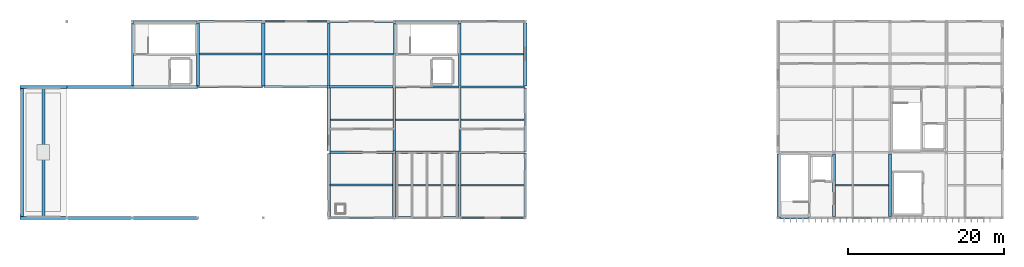
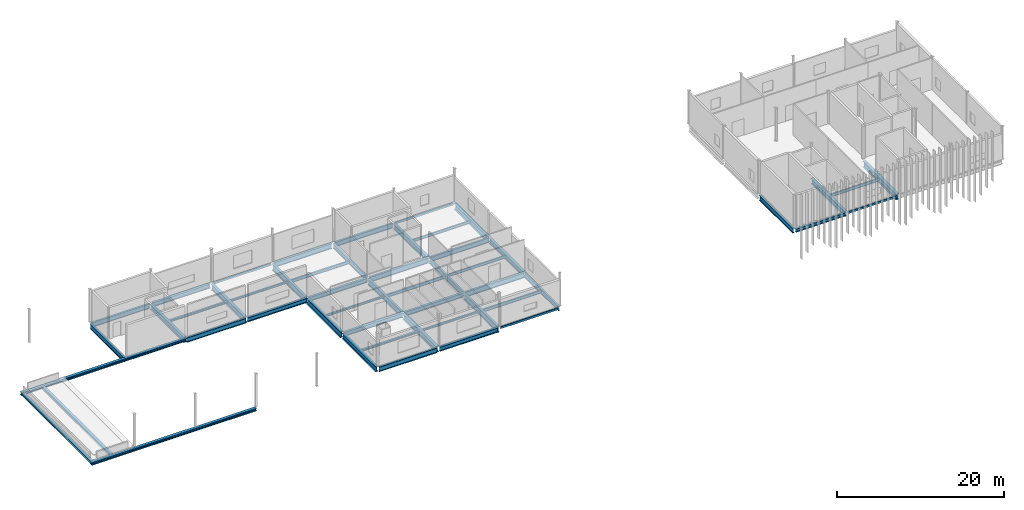
# One storey, part 7 of 27: 54 beams.
"""IFC4 building model written with IfcOpenShell, lengths in metres."""

from ifc_helpers import new_model, si_unit, direction, frame, origin, origin_2d, place, context, subcontext, project, spatial, hollow_rectangle, i_section, extrude, material, material_profile, profile_set, type_object, element, save


model = new_model("IFC4")

# Units and contexts
model_context = context("Model", 3, precision=1e-05, world=origin(), true_north=direction((0.0, 1.0)))
body_context = subcontext(model_context, "Body", "Model", "MODEL_VIEW")
ifc_project = project(units=[si_unit("LENGTHUNIT", "METRE"), si_unit("AREAUNIT", "SQUARE_METRE"), si_unit("VOLUMEUNIT", "CUBIC_METRE"), si_unit("PLANEANGLEUNIT", "RADIAN"), si_unit("MASSUNIT", "GRAM", prefix="KILO")], contexts=[model_context])

# Site, building, storey
site_placement = place(None, origin())
site = spatial("IfcSite", under=ifc_project, at=site_placement, CompositionType="ELEMENT")
building_placement = place(site_placement, origin())
building = spatial("IfcBuilding", under=site, at=building_placement, Name="Calvrana Isthmian Art Gallery", CompositionType="ELEMENT")
storey_placement = place(building_placement, frame((0.0, 0.0, 24.60009765625)))
storey = spatial("IfcBuildingStorey", under=building, at=storey_placement, Name="L05", CompositionType="ELEMENT", Elevation=24.60009765625)

# Beams
ifc_material_1 = material(Name="Steel ASTM A992 Gr 50", Category="steel")
ifc_material_profile_1 = material_profile(ifc_material_1, i_section(OverallWidth=0.39892578125, OverallDepth=0.39404296875, WebThickness=0.022705078125, FlangeThickness=0.03662109375, FilletRadius=0.02490234375, at=origin_2d()), Name="W14X193")
ifc_profile_set_1 = profile_set([ifc_material_profile_1], Name="Steel ASTM A992 Gr 50")
beam_type_1 = type_object("IfcBeamType", Name="BM-CANT-CHORD", PredefinedType="BEAM", material=ifc_profile_set_1)
beam_1_placement = place(storey_placement, frame((15.60009765625, 21.60009765625, -0.427001953125), z_axis=(1.0, 0.0, 0.0), x_axis=(0.0, 1.0, 0.0)))
element("IfcBeam", 1, at=beam_1_placement, inside=storey, type_object=beam_type_1, Name="Lookout cantilever top chord 1", PredefinedType="BEAM", context=body_context, shape_type="SweptSolid", body=[
    extrude(i_section(OverallWidth=0.39892578125, OverallDepth=0.39404296875, WebThickness=0.022705078125, FlangeThickness=0.03662109375, FilletRadius=0.02490234375, at=origin_2d()), origin(), (0.0, 0.0, 1.0), 6.0),
])
beam_2_placement = place(storey_placement, frame((21.60009765625, 21.60009765625, -0.427001953125), z_axis=(1.0, 0.0, 0.0), x_axis=(0.0, 1.0, 0.0)))
element("IfcBeam", 2, at=beam_2_placement, inside=storey, type_object=beam_type_1, Name="Lookout back-span top chord 1", PredefinedType="BEAM", context=body_context, shape_type="SweptSolid", body=[
    extrude(i_section(OverallWidth=0.39892578125, OverallDepth=0.39404296875, WebThickness=0.022705078125, FlangeThickness=0.03662109375, FilletRadius=0.02490234375, at=origin_2d()), origin(), (0.0, 0.0, 1.0), 16.7998046875),
])
beam_3_placement = place(storey_placement, frame((15.60009765625, 38.39990234375, -0.427001953125), z_axis=(1.0, 0.0, 0.0), x_axis=(0.0, 1.0, 0.0)))
element("IfcBeam", 3, at=beam_3_placement, inside=storey, type_object=beam_type_1, Name="Lookout cantilever top chord 2", PredefinedType="BEAM", context=body_context, shape_type="SweptSolid", body=[
    extrude(i_section(OverallWidth=0.39892578125, OverallDepth=0.39404296875, WebThickness=0.022705078125, FlangeThickness=0.03662109375, FilletRadius=0.02490234375, at=origin_2d()), origin(), (0.0, 0.0, 1.0), 6.0),
])
for number, where, z_axis, x_axis, name in (
    (4, (21.60009765625, 38.39990234375, -0.427001953125), (1.0, 0.0, 0.0), (0.0, 1.0, 0.0), "Lookout back-span top chord 2"),
    (5, (15.85009765625, 21.60009765625, -0.427001953125), (0.0, 1.0, 0.0), (-1.0, 0.0, 0.0), "Lookout transverse girder L05-1"),
    (6, (18.60009765625, 21.60009765625, -0.427001953125), (0.0, 1.0, 0.0), (-1.0, 0.0, 0.0), "Lookout transverse girder L05-2"),
):
    element("IfcBeam", number, at=place(storey_placement, frame(where, z_axis=z_axis, x_axis=x_axis)), inside=storey, type_object=beam_type_1, Name=name, PredefinedType="BEAM", context=body_context, shape_type="SweptSolid", body=[
        extrude(i_section(OverallWidth=0.39892578125, OverallDepth=0.39404296875, WebThickness=0.022705078125, FlangeThickness=0.03662109375, FilletRadius=0.02490234375, at=origin_2d()), origin(), (0.0, 0.0, 1.0), 16.7998046875),
    ])
ifc_material_profile_2 = material_profile(ifc_material_1, i_section(OverallWidth=0.279052734375, OverallDepth=0.4619140625, WebThickness=0.0107421875, FlangeThickness=0.017333984375, FilletRadius=0.02001953125, at=origin_2d()), Name="W18X76")
ifc_profile_set_2 = profile_set([ifc_material_profile_2], Name="Steel ASTM A992 Gr 50")
beam_type_2 = type_object("IfcBeamType", Name="BM-G-W18X76", PredefinedType="BEAM", material=ifc_profile_set_2)
beam_4_placement = place(storey_placement, frame((112.986572265625, 21.60009765625, -0.4560546875), z_axis=(1.0, 0.0, 0.0), x_axis=(0.0, 1.0, 0.0)))
element("IfcBeam", 7, at=beam_4_placement, inside=storey, type_object=beam_type_2, Name="Girder X L05 15-16/D", PredefinedType="BEAM", context=body_context, shape_type="SweptSolid", body=[
    extrude(i_section(OverallWidth=0.279052734375, OverallDepth=0.4619140625, WebThickness=0.0107421875, FlangeThickness=0.017333984375, FilletRadius=0.02001953125, at=origin_2d()), origin(), (0.0, 0.0, 1.0), 6.827880859375),
])
ifc_material_profile_3 = material_profile(ifc_material_1, i_section(OverallWidth=0.324951171875, OverallDepth=0.612060546875, WebThickness=0.0126953125, FlangeThickness=0.01904296875, FilletRadius=0.02197265625, at=origin_2d()), Name="W24X104")
ifc_profile_set_3 = profile_set([ifc_material_profile_3], Name="Steel ASTM A992 Gr 50")
beam_type_3 = type_object("IfcBeamType", Name="BM-G-W24X104", PredefinedType="BEAM", material=ifc_profile_set_3)
beam_5_placement = place(storey_placement, frame((63.70166015625, 30.0, -0.531005859375), z_axis=(1.0, 0.0, 0.0), x_axis=(0.0, 1.0, 0.0)))
element("IfcBeam", 8, at=beam_5_placement, inside=storey, type_object=beam_type_3, Name="Girder X L05 09-10/E", PredefinedType="BEAM", context=body_context, shape_type="SweptSolid", body=[
    extrude(i_section(OverallWidth=0.324951171875, OverallDepth=0.612060546875, WebThickness=0.0126953125, FlangeThickness=0.01904296875, FilletRadius=0.02197265625, at=origin_2d()), origin(), (0.0, 0.0, 1.0), 8.17138671875),
])
beam_6_placement = place(storey_placement, frame((55.301513671875, 38.39990234375, -0.531005859375), z_axis=(1.0, 0.0, 0.0), x_axis=(0.0, 1.0, 0.0)))
element("IfcBeam", 9, at=beam_6_placement, inside=storey, type_object=beam_type_3, Name="Girder X L05 08-09/F", PredefinedType="BEAM", context=body_context, shape_type="SweptSolid", body=[
    extrude(i_section(OverallWidth=0.324951171875, OverallDepth=0.612060546875, WebThickness=0.0126953125, FlangeThickness=0.01904296875, FilletRadius=0.02197265625, at=origin_2d()), origin(), (0.0, 0.0, 1.0), 8.14599609375),
])
ifc_material_profile_4 = material_profile(ifc_material_1, i_section(OverallWidth=0.327880859375, OverallDepth=0.6220703125, WebThickness=0.015380859375, FlangeThickness=0.0244140625, FilletRadius=0.02197265625, at=origin_2d()), Name="W24X131")
ifc_profile_set_4 = profile_set([ifc_material_profile_4], Name="Steel ASTM A992 Gr 50")
beam_type_4 = type_object("IfcBeamType", Name="BM-G-W24X131", PredefinedType="BEAM", material=ifc_profile_set_4)
beam_7_placement = place(storey_placement, frame((63.783935546875, 21.60009765625, -0.5361328125), z_axis=(1.0, 0.0, 0.0), x_axis=(0.0, 1.0, 0.0)))
element("IfcBeam", 10, at=beam_7_placement, inside=storey, type_object=beam_type_4, Name="Girder X L05 09-10/D", PredefinedType="BEAM", context=body_context, shape_type="SweptSolid", body=[
    extrude(i_section(OverallWidth=0.327880859375, OverallDepth=0.6220703125, WebThickness=0.015380859375, FlangeThickness=0.0244140625, FilletRadius=0.02197265625, at=origin_2d()), origin(), (0.0, 0.0, 1.0), 8.029541015625),
])
beam_8_placement = place(storey_placement, frame((55.352294921875, 30.0, -0.5361328125), z_axis=(1.0, 0.0, 0.0), x_axis=(0.0, 1.0, 0.0)))
element("IfcBeam", 11, at=beam_8_placement, inside=storey, type_object=beam_type_4, Name="Girder X L05 08-09/E", PredefinedType="BEAM", context=body_context, shape_type="SweptSolid", body=[
    extrude(i_section(OverallWidth=0.327880859375, OverallDepth=0.6220703125, WebThickness=0.015380859375, FlangeThickness=0.0244140625, FilletRadius=0.02197265625, at=origin_2d()), origin(), (0.0, 0.0, 1.0), 8.14599609375),
])
beam_9_placement = place(storey_placement, frame((46.927001953125, 38.39990234375, -0.5361328125), z_axis=(1.0, 0.0, 0.0), x_axis=(0.0, 1.0, 0.0)))
element("IfcBeam", 12, at=beam_9_placement, inside=storey, type_object=beam_type_4, Name="Girder X L05 07-08/F", PredefinedType="BEAM", context=body_context, shape_type="SweptSolid", body=[
    extrude(i_section(OverallWidth=0.327880859375, OverallDepth=0.6220703125, WebThickness=0.015380859375, FlangeThickness=0.0244140625, FilletRadius=0.02197265625, at=origin_2d()), origin(), (0.0, 0.0, 1.0), 8.17138671875),
])
beam_10_placement = place(storey_placement, frame((38.58642578125, 46.800048828125, -0.5361328125), z_axis=(1.0, 0.0, 0.0), x_axis=(0.0, 1.0, 0.0)))
element("IfcBeam", 13, at=beam_10_placement, inside=storey, type_object=beam_type_4, Name="Girder X L05 06-07/G", PredefinedType="BEAM", context=body_context, shape_type="SweptSolid", body=[
    extrude(i_section(OverallWidth=0.327880859375, OverallDepth=0.6220703125, WebThickness=0.015380859375, FlangeThickness=0.0244140625, FilletRadius=0.02197265625, at=origin_2d()), origin(), (0.0, 0.0, 1.0), 8.028076171875),
])
ifc_material_profile_5 = material_profile(ifc_material_1, i_section(OverallWidth=0.257080078125, OverallDepth=0.693115234375, WebThickness=0.014404296875, FlangeThickness=0.023681640625, FilletRadius=0.02392578125, at=origin_2d()), Name="W27X114")
ifc_profile_set_5 = profile_set([ifc_material_profile_5], Name="Steel ASTM A992 Gr 50")
beam_type_5 = type_object("IfcBeamType", Name="BM-G-W27X114", PredefinedType="BEAM", material=ifc_profile_set_5)
beam_11_placement = place(storey_placement, frame((55.385498046875, 21.60009765625, -0.571533203125), z_axis=(1.0, 0.0, 0.0), x_axis=(0.0, 1.0, 0.0)))
element("IfcBeam", 14, at=beam_11_placement, inside=storey, type_object=beam_type_5, Name="Girder X L05 08-09/D", PredefinedType="BEAM", context=body_context, shape_type="SweptSolid", body=[
    extrude(i_section(OverallWidth=0.257080078125, OverallDepth=0.693115234375, WebThickness=0.014404296875, FlangeThickness=0.023681640625, FilletRadius=0.02392578125, at=origin_2d()), origin(), (0.0, 0.0, 1.0), 8.030517578125),
])
for number, where, z_axis, x_axis, name in (
    (15, (38.501708984375, 38.39990234375, -0.571533203125), (1.0, 0.0, 0.0), (0.0, 1.0, 0.0), "Girder X L05 06-07/F"),
    (16, (72.1015625, 38.39990234375, -0.571533203125), (1.0, 0.0, 0.0), (0.0, 1.0, 0.0), "Girder X L05 10-11/F"),
):
    element("IfcBeam", number, at=place(storey_placement, frame(where, z_axis=z_axis, x_axis=x_axis)), inside=storey, type_object=beam_type_5, Name=name, PredefinedType="BEAM", context=body_context, shape_type="SweptSolid", body=[
        extrude(i_section(OverallWidth=0.257080078125, OverallDepth=0.693115234375, WebThickness=0.014404296875, FlangeThickness=0.023681640625, FilletRadius=0.02392578125, at=origin_2d()), origin(), (0.0, 0.0, 1.0), 8.17138671875),
    ])
for number, where, z_axis, x_axis, name in (
    (17, (30.1865234375, 46.800048828125, -0.571533203125), (1.0, 0.0, 0.0), (0.0, 1.0, 0.0), "Girder X L05 05-06/G"),
    (18, (63.78662109375, 46.800048828125, -0.571533203125), (1.0, 0.0, 0.0), (0.0, 1.0, 0.0), "Girder X L05 09-10/G"),
):
    element("IfcBeam", number, at=place(storey_placement, frame(where, z_axis=z_axis, x_axis=x_axis)), inside=storey, type_object=beam_type_5, Name=name, PredefinedType="BEAM", context=body_context, shape_type="SweptSolid", body=[
        extrude(i_section(OverallWidth=0.257080078125, OverallDepth=0.693115234375, WebThickness=0.014404296875, FlangeThickness=0.023681640625, FilletRadius=0.02392578125, at=origin_2d()), origin(), (0.0, 0.0, 1.0), 8.02685546875),
    ])
for number, where, z_axis, x_axis, name in (
    (19, (30.0, 38.552490234375, -0.571533203125), (0.0, 1.0, 0.0), (-1.0, 0.0, 0.0), "Girder Y L05 05/F-G"),
    (20, (63.60009765625, 38.552490234375, -0.571533203125), (0.0, 1.0, 0.0), (-1.0, 0.0, 0.0), "Girder Y L05 09/F-G"),
):
    element("IfcBeam", number, at=place(storey_placement, frame(where, z_axis=z_axis, x_axis=x_axis)), inside=storey, type_object=beam_type_5, Name=name, PredefinedType="BEAM", context=body_context, shape_type="SweptSolid", body=[
        extrude(i_section(OverallWidth=0.257080078125, OverallDepth=0.693115234375, WebThickness=0.014404296875, FlangeThickness=0.023681640625, FilletRadius=0.02392578125, at=origin_2d()), origin(), (0.0, 0.0, 1.0), 8.06103515625),
    ])
beam_12_placement = place(storey_placement, frame((72.0, 30.126953125, -0.571533203125), z_axis=(0.0, 1.0, 0.0), x_axis=(-1.0, 0.0, 0.0)))
element("IfcBeam", 21, at=beam_12_placement, inside=storey, type_object=beam_type_5, Name="Girder Y L05 10/E-F", PredefinedType="BEAM", context=body_context, shape_type="SweptSolid", body=[
    extrude(i_section(OverallWidth=0.257080078125, OverallDepth=0.693115234375, WebThickness=0.014404296875, FlangeThickness=0.023681640625, FilletRadius=0.02392578125, at=origin_2d()), origin(), (0.0, 0.0, 1.0), 8.12060546875),
])
beam_13_placement = place(storey_placement, frame((80.39990234375, 21.783935546875, -0.571533203125), z_axis=(0.0, 1.0, 0.0), x_axis=(-1.0, 0.0, 0.0)))
element("IfcBeam", 22, at=beam_13_placement, inside=storey, type_object=beam_type_5, Name="Girder Y L05 11/D-E", PredefinedType="BEAM", context=body_context, shape_type="SweptSolid", body=[
    extrude(i_section(OverallWidth=0.257080078125, OverallDepth=0.693115234375, WebThickness=0.014404296875, FlangeThickness=0.023681640625, FilletRadius=0.02392578125, at=origin_2d()), origin(), (0.0, 0.0, 1.0), 8.114501953125),
])
beam_14_placement = place(storey_placement, frame((112.800048828125, 21.783935546875, -0.571533203125), z_axis=(0.0, 1.0, 0.0), x_axis=(-1.0, 0.0, 0.0)))
element("IfcBeam", 23, at=beam_14_placement, inside=storey, type_object=beam_type_5, Name="Girder Y L05 15/D-E", PredefinedType="BEAM", context=body_context, shape_type="SweptSolid", body=[
    extrude(i_section(OverallWidth=0.257080078125, OverallDepth=0.693115234375, WebThickness=0.014404296875, FlangeThickness=0.023681640625, FilletRadius=0.02392578125, at=origin_2d()), origin(), (0.0, 0.0, 1.0), 8.029541015625),
])
ifc_material_profile_6 = material_profile(ifc_material_1, i_section(OverallWidth=0.26708984375, OverallDepth=0.761962890625, WebThickness=0.014404296875, FlangeThickness=0.021484375, FilletRadius=0.02490234375, at=origin_2d()), Name="W30X116")
ifc_profile_set_6 = profile_set([ifc_material_profile_6], Name="Steel ASTM A992 Gr 50")
beam_type_6 = type_object("IfcBeamType", Name="BM-G-W30X116", PredefinedType="BEAM", material=ifc_profile_set_6)
beam_15_placement = place(storey_placement, frame((72.126953125, 30.0, -0.606201171875), z_axis=(1.0, 0.0, 0.0), x_axis=(0.0, 1.0, 0.0)))
element("IfcBeam", 24, at=beam_15_placement, inside=storey, type_object=beam_type_6, Name="Girder X L05 10-11/E", PredefinedType="BEAM", context=body_context, shape_type="SweptSolid", body=[
    extrude(i_section(OverallWidth=0.26708984375, OverallDepth=0.761962890625, WebThickness=0.014404296875, FlangeThickness=0.021484375, FilletRadius=0.02490234375, at=origin_2d()), origin(), (0.0, 0.0, 1.0), 8.17138671875),
])
beam_16_placement = place(storey_placement, frame((63.75244140625, 38.39990234375, -0.606201171875), z_axis=(1.0, 0.0, 0.0), x_axis=(0.0, 1.0, 0.0)))
element("IfcBeam", 25, at=beam_16_placement, inside=storey, type_object=beam_type_6, Name="Girder X L05 09-10/F", PredefinedType="BEAM", context=body_context, shape_type="SweptSolid", body=[
    extrude(i_section(OverallWidth=0.26708984375, OverallDepth=0.761962890625, WebThickness=0.014404296875, FlangeThickness=0.021484375, FilletRadius=0.02490234375, at=origin_2d()), origin(), (0.0, 0.0, 1.0), 8.14599609375),
])
beam_17_placement = place(storey_placement, frame((55.384033203125, 46.800048828125, -0.606201171875), z_axis=(1.0, 0.0, 0.0), x_axis=(0.0, 1.0, 0.0)))
element("IfcBeam", 26, at=beam_17_placement, inside=storey, type_object=beam_type_6, Name="Girder X L05 08-09/G", PredefinedType="BEAM", context=body_context, shape_type="SweptSolid", body=[
    extrude(i_section(OverallWidth=0.26708984375, OverallDepth=0.761962890625, WebThickness=0.014404296875, FlangeThickness=0.021484375, FilletRadius=0.02490234375, at=origin_2d()), origin(), (0.0, 0.0, 1.0), 8.029541015625),
])
ifc_material_profile_7 = material_profile(ifc_material_1, i_section(OverallWidth=0.381103515625, OverallDepth=0.77197265625, WebThickness=0.0166015625, FlangeThickness=0.027099609375, FilletRadius=0.02490234375, at=origin_2d()), Name="W30X173")
ifc_profile_set_7 = profile_set([ifc_material_profile_7], Name="Steel ASTM A992 Gr 50")
beam_type_7 = type_object("IfcBeamType", Name="BM-G-W30X173", PredefinedType="BEAM", material=ifc_profile_set_7)
beam_18_placement = place(storey_placement, frame((38.39990234375, 38.552490234375, -0.611083984375), z_axis=(0.0, 1.0, 0.0), x_axis=(-1.0, 0.0, 0.0)))
element("IfcBeam", 27, at=beam_18_placement, inside=storey, type_object=beam_type_7, Name="Girder Y L05 06/F-G", PredefinedType="BEAM", context=body_context, shape_type="SweptSolid", body=[
    extrude(i_section(OverallWidth=0.381103515625, OverallDepth=0.77197265625, WebThickness=0.0166015625, FlangeThickness=0.027099609375, FilletRadius=0.02490234375, at=origin_2d()), origin(), (0.0, 0.0, 1.0), 8.0634765625),
])
beam_19_placement = place(storey_placement, frame((55.199951171875, 21.781494140625, -0.611083984375), z_axis=(0.0, 1.0, 0.0), x_axis=(-1.0, 0.0, 0.0)))
element("IfcBeam", 28, at=beam_19_placement, inside=storey, type_object=beam_type_7, Name="Girder Y L05 08/D-E", PredefinedType="BEAM", context=body_context, shape_type="SweptSolid", body=[
    extrude(i_section(OverallWidth=0.381103515625, OverallDepth=0.77197265625, WebThickness=0.0166015625, FlangeThickness=0.027099609375, FilletRadius=0.02490234375, at=origin_2d()), origin(), (0.0, 0.0, 1.0), 8.066162109375),
])
beam_20_placement = place(storey_placement, frame((72.0, 38.552490234375, -0.611083984375), z_axis=(0.0, 1.0, 0.0), x_axis=(-1.0, 0.0, 0.0)))
element("IfcBeam", 29, at=beam_20_placement, inside=storey, type_object=beam_type_7, Name="Girder Y L05 10/F-G", PredefinedType="BEAM", context=body_context, shape_type="SweptSolid", body=[
    extrude(i_section(OverallWidth=0.381103515625, OverallDepth=0.77197265625, WebThickness=0.0166015625, FlangeThickness=0.027099609375, FilletRadius=0.02490234375, at=origin_2d()), origin(), (0.0, 0.0, 1.0), 8.0634765625),
])
beam_21_placement = place(storey_placement, frame((80.39990234375, 30.1015625, -0.611083984375), z_axis=(0.0, 1.0, 0.0), x_axis=(-1.0, 0.0, 0.0)))
element("IfcBeam", 30, at=beam_21_placement, inside=storey, type_object=beam_type_7, Name="Girder Y L05 11/E-F", PredefinedType="BEAM", context=body_context, shape_type="SweptSolid", body=[
    extrude(i_section(OverallWidth=0.381103515625, OverallDepth=0.77197265625, WebThickness=0.0166015625, FlangeThickness=0.027099609375, FilletRadius=0.02490234375, at=origin_2d()), origin(), (0.0, 0.0, 1.0), 8.17138671875),
])
beam_22_placement = place(storey_placement, frame((120.0, 21.781494140625, -0.611083984375), z_axis=(0.0, 1.0, 0.0), x_axis=(-1.0, 0.0, 0.0)))
element("IfcBeam", 31, at=beam_22_placement, inside=storey, type_object=beam_type_7, Name="Girder Y L05 16/D-E", PredefinedType="BEAM", context=body_context, shape_type="SweptSolid", body=[
    extrude(i_section(OverallWidth=0.381103515625, OverallDepth=0.77197265625, WebThickness=0.0166015625, FlangeThickness=0.027099609375, FilletRadius=0.02490234375, at=origin_2d()), origin(), (0.0, 0.0, 1.0), 8.034423828125),
])
ifc_material_profile_8 = material_profile(ifc_material_1, i_section(OverallWidth=0.40087890625, OverallDepth=0.85595703125, WebThickness=0.018310546875, FlangeThickness=0.029296875, FilletRadius=0.02587890625, at=origin_2d()), Name="W33X201")
ifc_profile_set_8 = profile_set([ifc_material_profile_8], Name="Steel ASTM A992 Gr 50")
beam_type_8 = type_object("IfcBeamType", Name="BM-G-W33X201", PredefinedType="BEAM", material=ifc_profile_set_8)
beam_23_placement = place(storey_placement, frame((46.800048828125, 38.527099609375, -0.653076171875), z_axis=(0.0, 1.0, 0.0), x_axis=(-1.0, 0.0, 0.0)))
element("IfcBeam", 32, at=beam_23_placement, inside=storey, type_object=beam_type_8, Name="Girder Y L05 07/F-G", PredefinedType="BEAM", context=body_context, shape_type="SweptSolid", body=[
    extrude(i_section(OverallWidth=0.40087890625, OverallDepth=0.85595703125, WebThickness=0.018310546875, FlangeThickness=0.029296875, FilletRadius=0.02587890625, at=origin_2d()), origin(), (0.0, 0.0, 1.0), 8.09130859375),
])
beam_24_placement = place(storey_placement, frame((55.199951171875, 30.15234375, -0.653076171875), z_axis=(0.0, 1.0, 0.0), x_axis=(-1.0, 0.0, 0.0)))
element("IfcBeam", 33, at=beam_24_placement, inside=storey, type_object=beam_type_8, Name="Girder Y L05 08/E-F", PredefinedType="BEAM", context=body_context, shape_type="SweptSolid", body=[
    extrude(i_section(OverallWidth=0.40087890625, OverallDepth=0.85595703125, WebThickness=0.018310546875, FlangeThickness=0.029296875, FilletRadius=0.02587890625, at=origin_2d()), origin(), (0.0, 0.0, 1.0), 8.14599609375),
])
beam_25_placement = place(storey_placement, frame((63.60009765625, 21.778076171875, -0.653076171875), z_axis=(0.0, 1.0, 0.0), x_axis=(-1.0, 0.0, 0.0)))
element("IfcBeam", 34, at=beam_25_placement, inside=storey, type_object=beam_type_8, Name="Girder Y L05 09/D-E", PredefinedType="BEAM", context=body_context, shape_type="SweptSolid", body=[
    extrude(i_section(OverallWidth=0.40087890625, OverallDepth=0.85595703125, WebThickness=0.018310546875, FlangeThickness=0.029296875, FilletRadius=0.02587890625, at=origin_2d()), origin(), (0.0, 0.0, 1.0), 8.069580078125),
])
beam_26_placement = place(storey_placement, frame((80.39990234375, 38.527099609375, -0.653076171875), z_axis=(0.0, 1.0, 0.0), x_axis=(-1.0, 0.0, 0.0)))
element("IfcBeam", 35, at=beam_26_placement, inside=storey, type_object=beam_type_8, Name="Girder Y L05 11/F-G", PredefinedType="BEAM", context=body_context, shape_type="SweptSolid", body=[
    extrude(i_section(OverallWidth=0.40087890625, OverallDepth=0.85595703125, WebThickness=0.018310546875, FlangeThickness=0.029296875, FilletRadius=0.02587890625, at=origin_2d()), origin(), (0.0, 0.0, 1.0), 8.09130859375),
])
beam_27_placement = place(storey_placement, frame((127.199951171875, 21.778076171875, -0.653076171875), z_axis=(0.0, 1.0, 0.0), x_axis=(-1.0, 0.0, 0.0)))
element("IfcBeam", 36, at=beam_27_placement, inside=storey, type_object=beam_type_8, Name="Girder Y L05 17/D-E", PredefinedType="BEAM", context=body_context, shape_type="SweptSolid", body=[
    extrude(i_section(OverallWidth=0.40087890625, OverallDepth=0.85595703125, WebThickness=0.018310546875, FlangeThickness=0.029296875, FilletRadius=0.02587890625, at=origin_2d()), origin(), (0.0, 0.0, 1.0), 8.04052734375),
])
ifc_material_profile_9 = material_profile(ifc_material_1, i_section(OverallWidth=0.306884765625, OverallDepth=0.927001953125, WebThickness=0.019287109375, FlangeThickness=0.031982421875, FilletRadius=0.028076171875, at=origin_2d()), Name="W36X194")
ifc_profile_set_9 = profile_set([ifc_material_profile_9], Name="Steel ASTM A992 Gr 50")
beam_type_9 = type_object("IfcBeamType", Name="BM-G-W36X194", PredefinedType="BEAM", material=ifc_profile_set_9)
beam_28_placement = place(storey_placement, frame((55.199951171875, 38.501708984375, -0.6884765625), z_axis=(0.0, 1.0, 0.0), x_axis=(-1.0, 0.0, 0.0)))
element("IfcBeam", 37, at=beam_28_placement, inside=storey, type_object=beam_type_9, Name="Girder Y L05 08/F-G", PredefinedType="BEAM", context=body_context, shape_type="SweptSolid", body=[
    extrude(i_section(OverallWidth=0.306884765625, OverallDepth=0.927001953125, WebThickness=0.019287109375, FlangeThickness=0.031982421875, FilletRadius=0.028076171875, at=origin_2d()), origin(), (0.0, 0.0, 1.0), 8.120361328125),
])
beam_29_placement = place(storey_placement, frame((63.60009765625, 30.15234375, -0.6884765625), z_axis=(0.0, 1.0, 0.0), x_axis=(-1.0, 0.0, 0.0)))
element("IfcBeam", 38, at=beam_29_placement, inside=storey, type_object=beam_type_9, Name="Girder Y L05 09/E-F", PredefinedType="BEAM", context=body_context, shape_type="SweptSolid", body=[
    extrude(i_section(OverallWidth=0.306884765625, OverallDepth=0.927001953125, WebThickness=0.019287109375, FlangeThickness=0.031982421875, FilletRadius=0.028076171875, at=origin_2d()), origin(), (0.0, 0.0, 1.0), 8.09521484375),
])
beam_30_placement = place(storey_placement, frame((72.0, 21.78662109375, -0.6884765625), z_axis=(0.0, 1.0, 0.0), x_axis=(-1.0, 0.0, 0.0)))
element("IfcBeam", 39, at=beam_30_placement, inside=storey, type_object=beam_type_9, Name="Girder Y L05 10/D-E", PredefinedType="BEAM", context=body_context, shape_type="SweptSolid", body=[
    extrude(i_section(OverallWidth=0.306884765625, OverallDepth=0.927001953125, WebThickness=0.019287109375, FlangeThickness=0.031982421875, FilletRadius=0.028076171875, at=origin_2d()), origin(), (0.0, 0.0, 1.0), 8.08642578125),
])
ifc_material_profile_10 = material_profile(ifc_material_1, i_section(OverallWidth=0.202880859375, OverallDepth=0.302001953125, WebThickness=0.007568359375, FlangeThickness=0.01318359375, FilletRadius=0.01611328125, at=origin_2d()), Name="W12X40")
ifc_profile_set_10 = profile_set([ifc_material_profile_10], Name="Steel ASTM A992 Gr 50")
beam_type_10 = type_object("IfcBeamType", Name="BM-J-W12X40", PredefinedType="JOIST", material=ifc_profile_set_10)
beam_31_placement = place(storey_placement, frame((47.00048828125, 42.60009765625, -0.3759765625), z_axis=(1.0, 0.0, 0.0), x_axis=(0.0, 1.0, 0.0)))
element("IfcBeam", 40, at=beam_31_placement, inside=storey, type_object=beam_type_10, Name="Composite joist L05 bay 06-05", PredefinedType="JOIST", context=body_context, shape_type="SweptSolid", body=[
    extrude(i_section(OverallWidth=0.202880859375, OverallDepth=0.302001953125, WebThickness=0.007568359375, FlangeThickness=0.01318359375, FilletRadius=0.01611328125, at=origin_2d()), origin(), (0.0, 0.0, 1.0), 8.0458984375),
])
beam_32_placement = place(storey_placement, frame((55.400390625, 34.199951171875, -0.3759765625), z_axis=(1.0, 0.0, 0.0), x_axis=(0.0, 1.0, 0.0)))
element("IfcBeam", 41, at=beam_32_placement, inside=storey, type_object=beam_type_10, Name="Composite joist L05 bay 07-04", PredefinedType="JOIST", context=body_context, shape_type="SweptSolid", body=[
    extrude(i_section(OverallWidth=0.202880859375, OverallDepth=0.302001953125, WebThickness=0.007568359375, FlangeThickness=0.01318359375, FilletRadius=0.01611328125, at=origin_2d()), origin(), (0.0, 0.0, 1.0), 8.046142578125),
])
beam_33_placement = place(storey_placement, frame((63.800537109375, 25.800048828125, -0.3759765625), z_axis=(1.0, 0.0, 0.0), x_axis=(0.0, 1.0, 0.0)))
element("IfcBeam", 42, at=beam_33_placement, inside=storey, type_object=beam_type_10, Name="Composite joist L05 bay 08-03", PredefinedType="JOIST", context=body_context, shape_type="SweptSolid", body=[
    extrude(i_section(OverallWidth=0.202880859375, OverallDepth=0.302001953125, WebThickness=0.007568359375, FlangeThickness=0.01318359375, FilletRadius=0.01611328125, at=origin_2d()), origin(), (0.0, 0.0, 1.0), 8.0458984375),
])
ifc_material_profile_11 = material_profile(ifc_material_1, i_section(OverallWidth=0.25390625, OverallDepth=0.306884765625, WebThickness=0.0087890625, FlangeThickness=0.0146484375, FilletRadius=0.01611328125, at=origin_2d()), Name="W12X53")
ifc_profile_set_11 = profile_set([ifc_material_profile_11], Name="Steel ASTM A992 Gr 50")
beam_type_11 = type_object("IfcBeamType", Name="BM-J-W12X53", PredefinedType="JOIST", material=ifc_profile_set_11)
for number, where, z_axis, x_axis, name in (
    (43, (38.590576171875, 42.60009765625, -0.378662109375), (1.0, 0.0, 0.0), (0.0, 1.0, 0.0), "Composite joist L05 bay 05-05"),
    (44, (55.390380859375, 25.800048828125, -0.378662109375), (1.0, 0.0, 0.0), (0.0, 1.0, 0.0), "Composite joist L05 bay 07-03"),
):
    element("IfcBeam", number, at=place(storey_placement, frame(where, z_axis=z_axis, x_axis=x_axis)), inside=storey, type_object=beam_type_11, Name=name, PredefinedType="JOIST", context=body_context, shape_type="SweptSolid", body=[
        extrude(i_section(OverallWidth=0.25390625, OverallDepth=0.306884765625, WebThickness=0.0087890625, FlangeThickness=0.0146484375, FilletRadius=0.01611328125, at=origin_2d()), origin(), (0.0, 0.0, 1.0), 8.009033203125),
    ])
ifc_material_profile_12 = material_profile(ifc_material_1, i_section(OverallWidth=0.177978515625, OverallDepth=0.404052734375, WebThickness=0.007568359375, FlangeThickness=0.010986328125, FilletRadius=0.01806640625, at=origin_2d()), Name="W16X36")
ifc_profile_set_12 = profile_set([ifc_material_profile_12], Name="Steel ASTM A992 Gr 50")
beam_type_12 = type_object("IfcBeamType", Name="BM-J-W16X36", PredefinedType="JOIST", material=ifc_profile_set_12)
beam_34_placement = place(storey_placement, frame((72.1904296875, 42.60009765625, -0.427001953125), z_axis=(1.0, 0.0, 0.0), x_axis=(0.0, 1.0, 0.0)))
element("IfcBeam", 45, at=beam_34_placement, inside=storey, type_object=beam_type_12, Name="Composite joist L05 bay 09-05", PredefinedType="JOIST", context=body_context, shape_type="SweptSolid", body=[
    extrude(i_section(OverallWidth=0.177978515625, OverallDepth=0.404052734375, WebThickness=0.007568359375, FlangeThickness=0.010986328125, FilletRadius=0.01806640625, at=origin_2d()), origin(), (0.0, 0.0, 1.0), 8.009033203125),
])
ifc_material_profile_13 = material_profile(ifc_material_1, i_section(OverallWidth=0.179931640625, OverallDepth=0.4140625, WebThickness=0.009765625, FlangeThickness=0.01611328125, FilletRadius=0.01806640625, at=origin_2d()), Name="W16X50")
ifc_profile_set_13 = profile_set([ifc_material_profile_13], Name="Steel ASTM A992 Gr 50")
beam_type_13 = type_object("IfcBeamType", Name="BM-J-W16X50", PredefinedType="JOIST", material=ifc_profile_set_13)
beam_35_placement = place(storey_placement, frame((72.12841796875, 34.199951171875, -0.43212890625), z_axis=(1.0, 0.0, 0.0), x_axis=(0.0, 1.0, 0.0)))
element("IfcBeam", 46, at=beam_35_placement, inside=storey, type_object=beam_type_13, Name="Composite joist L05 bay 09-04", PredefinedType="JOIST", context=body_context, shape_type="SweptSolid", body=[
    extrude(i_section(OverallWidth=0.179931640625, OverallDepth=0.4140625, WebThickness=0.009765625, FlangeThickness=0.01611328125, FilletRadius=0.01806640625, at=origin_2d()), origin(), (0.0, 0.0, 1.0), 8.0810546875),
])
ifc_material_profile_14 = material_profile(ifc_material_1, i_section(OverallWidth=0.19091796875, OverallDepth=0.45703125, WebThickness=0.009033203125, FlangeThickness=0.014404296875, FilletRadius=0.02001953125, at=origin_2d()), Name="W18X50")
ifc_profile_set_14 = profile_set([ifc_material_profile_14], Name="Steel ASTM A992 Gr 50")
beam_type_14 = type_object("IfcBeamType", Name="BM-J-W18X50", PredefinedType="JOIST", material=ifc_profile_set_14)
beam_36_placement = place(storey_placement, frame((55.353515625, 42.60009765625, -0.45361328125), z_axis=(1.0, 0.0, 0.0), x_axis=(0.0, 1.0, 0.0)))
element("IfcBeam", 47, at=beam_36_placement, inside=storey, type_object=beam_type_14, Name="Composite joist L05 bay 07-05", PredefinedType="JOIST", context=body_context, shape_type="SweptSolid", body=[
    extrude(i_section(OverallWidth=0.19091796875, OverallDepth=0.45703125, WebThickness=0.009033203125, FlangeThickness=0.014404296875, FilletRadius=0.02001953125, at=origin_2d()), origin(), (0.0, 0.0, 1.0), 8.117919921875),
])
beam_37_placement = place(storey_placement, frame((63.75341796875, 34.199951171875, -0.45361328125), z_axis=(1.0, 0.0, 0.0), x_axis=(0.0, 1.0, 0.0)))
element("IfcBeam", 48, at=beam_37_placement, inside=storey, type_object=beam_type_14, Name="Composite joist L05 bay 08-04", PredefinedType="JOIST", context=body_context, shape_type="SweptSolid", body=[
    extrude(i_section(OverallWidth=0.19091796875, OverallDepth=0.45703125, WebThickness=0.009033203125, FlangeThickness=0.014404296875, FilletRadius=0.02001953125, at=origin_2d()), origin(), (0.0, 0.0, 1.0), 8.1181640625),
])
beam_38_placement = place(storey_placement, frame((72.153564453125, 25.800048828125, -0.45361328125), z_axis=(1.0, 0.0, 0.0), x_axis=(0.0, 1.0, 0.0)))
element("IfcBeam", 49, at=beam_38_placement, inside=storey, type_object=beam_type_14, Name="Composite joist L05 bay 09-03", PredefinedType="JOIST", context=body_context, shape_type="SweptSolid", body=[
    extrude(i_section(OverallWidth=0.19091796875, OverallDepth=0.45703125, WebThickness=0.009033203125, FlangeThickness=0.014404296875, FilletRadius=0.02001953125, at=origin_2d()), origin(), (0.0, 0.0, 1.0), 8.117919921875),
])
beam_39_placement = place(storey_placement, frame((120.1904296875, 25.800048828125, -0.45361328125), z_axis=(1.0, 0.0, 0.0), x_axis=(0.0, 1.0, 0.0)))
element("IfcBeam", 50, at=beam_39_placement, inside=storey, type_object=beam_type_14, Name="Composite joist L05 bay 15-03", PredefinedType="JOIST", context=body_context, shape_type="SweptSolid", body=[
    extrude(i_section(OverallWidth=0.19091796875, OverallDepth=0.45703125, WebThickness=0.009033203125, FlangeThickness=0.014404296875, FilletRadius=0.02001953125, at=origin_2d()), origin(), (0.0, 0.0, 1.0), 6.80908203125),
])
ifc_material_2 = material(Name="Steel ASTM A500 Gr C", Category="steel")
ifc_material_profile_15 = material_profile(ifc_material_2, hollow_rectangle(XDim=0.203125, YDim=0.3046875, WallThickness=0.0126953125, OuterFilletRadius=0.02490234375, at=origin_2d()), Name="HSS305X203X12.7")
ifc_profile_set_15 = profile_set([ifc_material_profile_15], Name="Steel ASTM A500 Gr C")
beam_type_15 = type_object("IfcBeamType", Name="BM-SP-HSS305", PredefinedType="SPANDREL", material=ifc_profile_set_15)
beam_40_placement = place(storey_placement, frame((72.1865234375, 21.60009765625, -0.37744140625), z_axis=(1.0, 0.0, 0.0), x_axis=(0.0, 1.0, 0.0)))
element("IfcBeam", 51, at=beam_40_placement, inside=storey, type_object=beam_type_15, Name="Girder X L05 10-11/D", PredefinedType="SPANDREL", context=body_context, shape_type="SweptSolid", body=[
    extrude(hollow_rectangle(XDim=0.203125, YDim=0.3046875, WallThickness=0.0126953125, OuterFilletRadius=0.02490234375, at=origin_2d()), origin(), (0.0, 0.0, 1.0), 8.02685546875),
])
beam_41_placement = place(storey_placement, frame((120.185546875, 21.60009765625, -0.37744140625), z_axis=(1.0, 0.0, 0.0), x_axis=(0.0, 1.0, 0.0)))
element("IfcBeam", 52, at=beam_41_placement, inside=storey, type_object=beam_type_15, Name="Girder X L05 16-17/D", PredefinedType="SPANDREL", context=body_context, shape_type="SweptSolid", body=[
    extrude(hollow_rectangle(XDim=0.203125, YDim=0.3046875, WallThickness=0.0126953125, OuterFilletRadius=0.02490234375, at=origin_2d()), origin(), (0.0, 0.0, 1.0), 6.83056640625),
])
beam_42_placement = place(storey_placement, frame((46.985595703125, 46.800048828125, -0.37744140625), z_axis=(1.0, 0.0, 0.0), x_axis=(0.0, 1.0, 0.0)))
element("IfcBeam", 53, at=beam_42_placement, inside=storey, type_object=beam_type_15, Name="Girder X L05 07-08/G", PredefinedType="SPANDREL", context=body_context, shape_type="SweptSolid", body=[
    extrude(hollow_rectangle(XDim=0.203125, YDim=0.3046875, WallThickness=0.0126953125, OuterFilletRadius=0.02490234375, at=origin_2d()), origin(), (0.0, 0.0, 1.0), 8.030517578125),
])
beam_43_placement = place(storey_placement, frame((72.1865234375, 46.800048828125, -0.37744140625), z_axis=(1.0, 0.0, 0.0), x_axis=(0.0, 1.0, 0.0)))
element("IfcBeam", 54, at=beam_43_placement, inside=storey, type_object=beam_type_15, Name="Girder X L05 10-11/G", PredefinedType="SPANDREL", context=body_context, shape_type="SweptSolid", body=[
    extrude(hollow_rectangle(XDim=0.203125, YDim=0.3046875, WallThickness=0.0126953125, OuterFilletRadius=0.02490234375, at=origin_2d()), origin(), (0.0, 0.0, 1.0), 8.028076171875),
])

save(model, "model.ifc")
